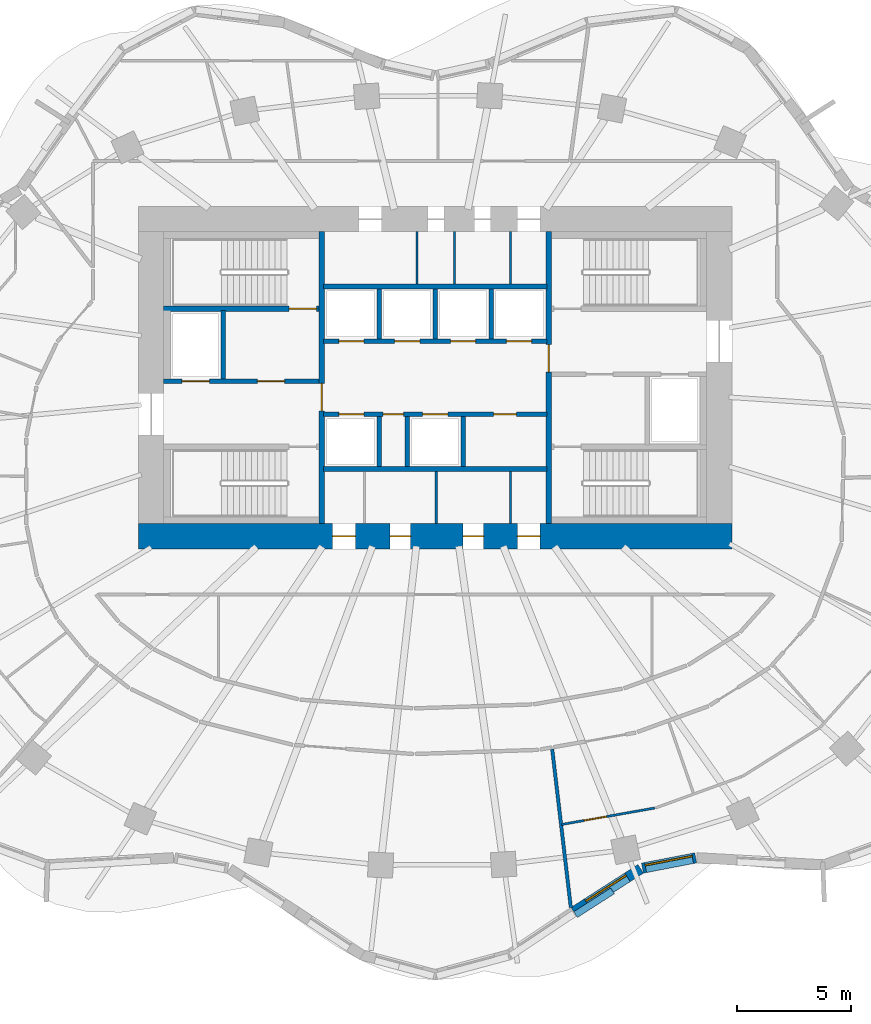
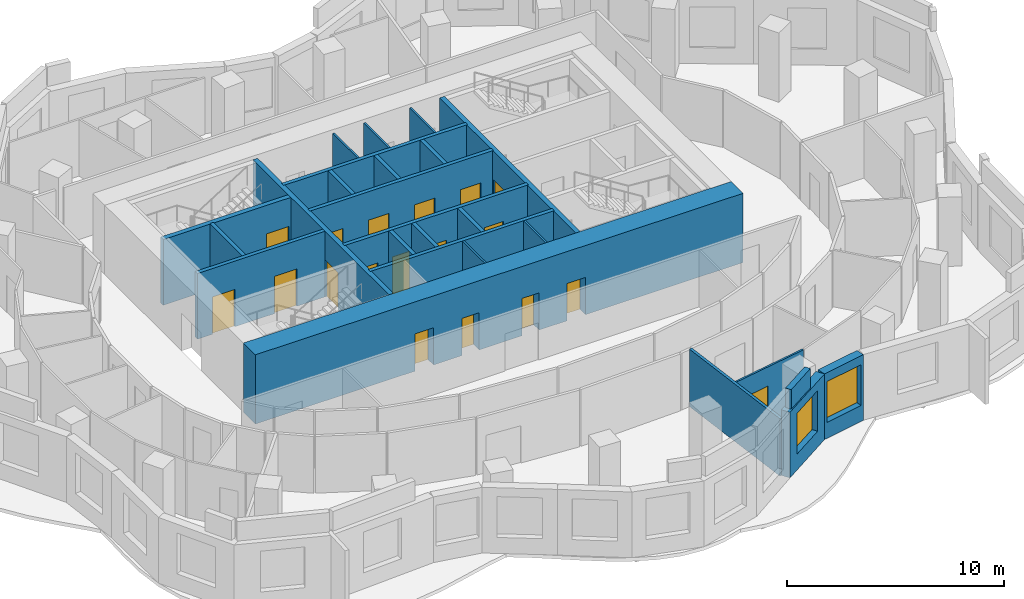
# One storey, part 5 of 10: 26 walls, 18 doors, 2 windows, 20 openings.
"""IFC4 building model written with IfcOpenShell, lengths in metres."""

import ifcopenshell
import ifcopenshell.guid

model = None  # the IFC model being written
_history = None  # IfcOwnerHistory: only IFC2X3 demands one
_inside = {}  # id of a spatial element -> (the spatial element, [elements in it])
_under = {}  # id of a project, library or spatial element -> (it, [spatial elements below it])
_declared = {}  # id of a project -> (the project, [libraries it declares])
_typed = {}  # id of a type object -> (the type object, [elements of that type])
_made_of = {}  # id of a material, layer set ... -> (it, [elements and type objects made of it])


def new_model(schema):
    """Start an empty IFC model of exactly this schema.

    Asked for "IFC4X3", IfcOpenShell would pick the latest addendum, in which some entities
    have other attributes; the version numbers below select the first issue.
    IFC2X3 requires an IfcOwnerHistory on every rooted entity: one is made here for all.
    """
    global model, _history
    if schema == "IFC4X3":
        model = ifcopenshell.file(schema_version=(4, 3, 0, 0))
    else:
        model = ifcopenshell.file(schema=schema)
    _inside.clear()
    _under.clear()
    _declared.clear()
    _typed.clear()
    _made_of.clear()
    _history = None
    if model.schema == "IFC2X3":
        org = make("IfcOrganization", Name="unknown")
        user = make(
            "IfcPersonAndOrganization",
            ThePerson=make("IfcPerson", FamilyName="unknown"),
            TheOrganization=org,
        )
        app = make(
            "IfcApplication",
            ApplicationDeveloper=org,
            Version="unknown",
            ApplicationFullName="unknown",
            ApplicationIdentifier="unknown",
        )
        _history = make(
            "IfcOwnerHistory",
            OwningUser=user,
            OwningApplication=app,
            ChangeAction="ADDED",
            CreationDate=0,
        )
    return model


def make(cls, **values):
    """One entity of the class cls with the attributes given. An attribute that is None is left unset."""
    return model.create_entity(
        cls, **{name: value for name, value in values.items() if value is not None}
    )


def rooted(cls, **values):
    """An entity with a GlobalId (a new one), such as an element, a storey or a relation."""
    return make(cls, GlobalId=ifcopenshell.guid.new(), OwnerHistory=_history, **values)


def si_unit(unit_type, name, prefix=None):
    """IfcSIUnit, for example si_unit("LENGTHUNIT", "METRE", prefix="MILLI")."""
    return make("IfcSIUnit", UnitType=unit_type, Prefix=prefix, Name=name)


def assignment(units):
    """IfcUnitAssignment: the units of a project."""
    return None if units is None else make("IfcUnitAssignment", Units=units)


def point(xyz):
    """IfcCartesianPoint."""
    return None if xyz is None else make("IfcCartesianPoint", Coordinates=xyz)


def direction(xyz):
    """IfcDirection."""
    return None if xyz is None else make("IfcDirection", DirectionRatios=xyz)


def frame(location, z_axis=None, x_axis=None):
    """IfcAxis2Placement3D, a coordinate frame: its origin and axes. An axis left out is left unset."""
    return make(
        "IfcAxis2Placement3D",
        Location=point(location),
        Axis=direction(z_axis),
        RefDirection=direction(x_axis),
    )


def frame_2d(location, x_axis=None):
    """IfcAxis2Placement2D, a coordinate frame in the plane: its origin and x axis."""
    return make(
        "IfcAxis2Placement2D", Location=point(location), RefDirection=direction(x_axis)
    )


def origin():
    """The frame at (0, 0, 0) with its axes left unset."""
    return frame((0.0, 0.0, 0.0))


def place(relative_to, where):
    """IfcLocalPlacement: puts the frame where relative to a parent placement (None: the world)."""
    return make(
        "IfcLocalPlacement", PlacementRelTo=relative_to, RelativePlacement=where
    )


def context(
    kind, dimensions, precision=None, world=None, true_north=None, identifier=None
):
    """IfcGeometricRepresentationContext, for example the 3D "Model" context."""
    return make(
        "IfcGeometricRepresentationContext",
        ContextIdentifier=identifier,
        ContextType=kind,
        CoordinateSpaceDimension=dimensions,
        Precision=precision,
        WorldCoordinateSystem=world,
        TrueNorth=true_north,
    )


def subcontext(parent, identifier, kind, view, scale=None):
    """IfcGeometricRepresentationSubContext, for example "Body" below "Model"."""
    return make(
        "IfcGeometricRepresentationSubContext",
        ContextIdentifier=identifier,
        ContextType=kind,
        ParentContext=parent,
        TargetScale=scale,
        TargetView=view,
    )


def project(units=None, contexts=None):
    """IfcProject with its units and contexts."""
    return rooted(
        "IfcProject",
        Name="project",
        RepresentationContexts=contexts,
        UnitsInContext=assignment(units),
    )


def spatial(cls, under=None, at=None, **own):
    """A site, building, storey or space (cls), placed at a placement, below another one or the project."""
    s = rooted(cls, ObjectPlacement=at, **own)
    if under is not None:
        _under.setdefault(under.id(), (under, []))[1].append(s)
    return s


def profile(cls, at=None, kind="AREA", **sizes):
    """A parametric profile (cls). Its sizes go by their IFC names, for example OverallWidth=200.0."""
    return make(cls, ProfileType=kind, Position=at, **sizes)


def rectangle(**sizes):
    """IfcRectangleProfileDef."""
    return profile("IfcRectangleProfileDef", **sizes)


def extrude(swept, where, along, depth):
    """IfcExtrudedAreaSolid: the profile swept, set in the frame where, extruded along a direction by depth."""
    return make(
        "IfcExtrudedAreaSolid",
        SweptArea=swept,
        Position=where,
        ExtrudedDirection=direction(along),
        Depth=depth,
    )


def shape(context_of_items, identifier, shape_type, items):
    """IfcShapeRepresentation: the items that make up one representation, for example the "Body"."""
    return make(
        "IfcShapeRepresentation",
        ContextOfItems=context_of_items,
        RepresentationIdentifier=identifier,
        RepresentationType=shape_type,
        Items=items,
    )


def material(Name=None, Category=None):
    """IfcMaterial."""
    return make("IfcMaterial", Name=Name, Category=Category)


def layer(
    of_material, thickness, ventilated=None, Name=None, Category=None, Priority=None
):
    """IfcMaterialLayer: one layer of a wall or slab, of a material (None: an air gap)."""
    return make(
        "IfcMaterialLayer",
        Material=of_material,
        LayerThickness=thickness,
        IsVentilated=ventilated,
        Name=Name,
        Category=Category,
        Priority=Priority,
    )


def layer_set(layers, Name=None):
    """IfcMaterialLayerSet."""
    return make("IfcMaterialLayerSet", MaterialLayers=layers, LayerSetName=Name)


def made_of(thing, what):
    """Note that an element or type object is made of a material, layer set ...; save() writes the relation."""
    if what is not None:
        _made_of.setdefault(what.id(), (what, []))[1].append(thing)
    return thing


def type_object(cls, material=None, **own):
    """A type object (cls), such as IfcWallType, which elements share."""
    return made_of(rooted(cls, **own), material)


def element(
    cls,
    number,
    at=None,
    inside=None,
    cuts=None,
    type_object=None,
    material=None,
    context=None,
    identifier="Body",
    shape_type=None,
    held_by="IfcProductDefinitionShape",
    body=None,
    shapes=None,
    **own,
):
    """One element of the class cls, such as IfcWall. Its Tag is "e" and its number.

    at: its placement. inside: the storey or other place that contains it. cuts: it is an
    opening in that element (IfcRelVoidsElement). A single representation is given by context,
    identifier, shape_type and body (its items); several are given by shapes. held_by: the class
    of the entity that holds the representations. save() writes the other relations.
    """
    e = rooted(cls, Tag="e%d" % number, ObjectPlacement=at, **own)
    if body is not None:
        shapes = [shape(context, identifier, shape_type, body)]
    if shapes is not None:
        e.Representation = make(held_by, Representations=shapes)
    if inside is not None:
        _inside.setdefault(inside.id(), (inside, []))[1].append(e)
    if cuts is not None:
        rooted(
            "IfcRelVoidsElement", RelatingBuildingElement=cuts, RelatedOpeningElement=e
        )
    if type_object is not None:
        _typed.setdefault(type_object.id(), (type_object, []))[1].append(e)
    return made_of(e, material)


def fill(opening, filler):
    """IfcRelFillsElement: the door or window that sits in an opening."""
    return rooted(
        "IfcRelFillsElement",
        RelatingOpeningElement=opening,
        RelatedBuildingElement=filler,
    )


def aggregate(whole, parts):
    """IfcRelAggregates: a whole, such as a stair, and the parts it consists of."""
    return rooted("IfcRelAggregates", RelatingObject=whole, RelatedObjects=parts)


def save(model, path):
    """Write the relations noted so far, then the file.

    IfcRelAggregates (storeys below a building ...), IfcRelContainedInSpatialStructure (elements
    in a storey), IfcRelDefinesByType, IfcRelAssociatesMaterial and IfcRelDeclares: one each for
    every whole, place, type object, material and project.
    """
    for whole, parts in _under.values():
        aggregate(whole, parts)
    for where, things in _inside.values():
        rooted(
            "IfcRelContainedInSpatialStructure",
            RelatedElements=things,
            RelatingStructure=where,
        )
    for kind, things in _typed.values():
        rooted("IfcRelDefinesByType", RelatedObjects=things, RelatingType=kind)
    for what, things in _made_of.values():
        rooted("IfcRelAssociatesMaterial", RelatedObjects=things, RelatingMaterial=what)
    for by, libraries in _declared.values():
        rooted("IfcRelDeclares", RelatingContext=by, RelatedDefinitions=libraries)
    model.write(path)


model = new_model("IFC4")

# Units and contexts
model_context = context("Model", 3, precision=1e-05, world=origin(), true_north=direction((0.0, 1.0)))
body_context = subcontext(model_context, "Body", "Model", "MODEL_VIEW")
ifc_project = project(units=[si_unit("LENGTHUNIT", "METRE"), si_unit("AREAUNIT", "SQUARE_METRE"), si_unit("VOLUMEUNIT", "CUBIC_METRE"), si_unit("PLANEANGLEUNIT", "RADIAN"), si_unit("MASSUNIT", "GRAM", prefix="KILO")], contexts=[model_context])

# Site, building, storey
site_placement = place(None, origin())
site = spatial("IfcSite", under=ifc_project, at=site_placement, CompositionType="ELEMENT")
building_placement = place(site_placement, origin())
building = spatial("IfcBuilding", under=site, at=building_placement, Name="Rubra Terraces Tower", CompositionType="ELEMENT")
storey_placement = place(building_placement, frame((0.0, 0.0, 157.800048828125)))
storey = spatial("IfcBuildingStorey", under=building, at=storey_placement, Name="L38", CompositionType="ELEMENT", Elevation=157.800048828125)

# Wall, opening, window
ifc_material_1 = material(Name="Brick masonry red-brown", Category="masonry")
ifc_layer_1 = layer(ifc_material_1, 0.449951171875)
ifc_layer_set_1 = layer_set([ifc_layer_1], Name="Brick masonry red-brown")
wall_type_1 = type_object("IfcWallType", Name="Brick facade wall 450", PredefinedType="SOLIDWALL", material=ifc_layer_set_1)
wall_1_placement = place(storey_placement, frame((6.076416015625, -18.906494140625, 0.0), z_axis=(0.0, 0.0, 1.0), x_axis=(0.841872604405, 0.539676308496, 0.0)))
wall_1 = element("IfcWall", 1, at=wall_1_placement, inside=storey, type_object=wall_type_1, Name="Facade wall L38 bay 33", PredefinedType="SOLIDWALL", context=body_context, shape_type="SweptSolid", body=[
    extrude(rectangle(XDim=3.48193359375, YDim=0.449951171875, at=frame_2d((1.740966796875, 0.0))), origin(), (0.0, 0.0, 1.0), 3.699951171875),
])
opening_1_placement = place(wall_1_placement, frame((0.691162109375, 0.0, 0.89990234375)))
opening_1 = element("IfcOpeningElement", 2, at=opening_1_placement, cuts=wall_1, Name="Opening W1B", PredefinedType="OPENING", context=body_context, shape_type="SweptSolid", body=[
    extrude(rectangle(XDim=2.10009765625, YDim=2.300048828125, at=frame_2d((1.050048828125, 1.14990234375))), frame((0.0, 0.23486328125, 0.0), z_axis=(0.0, -1.0, 0.0), x_axis=(1.0, 0.0, 0.0)), (0.0, 0.0, 1.0), 0.469970703125),
])
ifc_material_2 = material(Name="Clear glass in aluminium frame", Category="aluminium")
window_type = type_object("IfcWindowType", Name="Fixed deep-set window tall storey 2100 x 2300", PartitioningType="SINGLE_PANEL", PredefinedType="WINDOW", material=ifc_material_2)
window_1_placement = place(opening_1_placement, origin())
window_1 = element("IfcWindow", 3, at=window_1_placement, inside=storey, type_object=window_type, Name="Window L38 bay 33", OverallHeight=2.300048828125, OverallWidth=2.10009765625, PartitioningType="SINGLE_PANEL", PredefinedType="WINDOW", context=body_context, shape_type="SweptSolid", body=[
    extrude(rectangle(XDim=2.10009765625, YDim=2.300048828125, at=frame_2d((1.050048828125, 1.14990234375))), frame((0.0, 0.135009765625, 0.0), z_axis=(0.0, -1.0, 0.0), x_axis=(1.0, 0.0, 0.0)), (0.0, 0.0, 1.0), 0.06005859375),
])
fill(opening_1, window_1)

wall_2_placement = place(storey_placement, frame((9.084716796875, -16.9970703125, 0.0), z_axis=(0.0, 0.0, 1.0), x_axis=(0.981863241167, 0.189590547352, 0.0)))
wall_2 = element("IfcWall", 4, at=wall_2_placement, inside=storey, type_object=wall_type_1, Name="Facade wall L38 bay 34", PredefinedType="SOLIDWALL", context=body_context, shape_type="SweptSolid", body=[
    extrude(rectangle(XDim=2.375732421875, YDim=0.449951171875, at=frame_2d((1.18798828125, 0.0))), origin(), (0.0, 0.0, 1.0), 3.699951171875),
])
opening_2_placement = place(wall_2_placement, frame((0.13818359375, 0.0, 0.89990234375)))
opening_2 = element("IfcOpeningElement", 5, at=opening_2_placement, cuts=wall_2, Name="Opening W1B", PredefinedType="OPENING", context=body_context, shape_type="SweptSolid", body=[
    extrude(rectangle(XDim=2.10009765625, YDim=2.300048828125, at=frame_2d((1.050048828125, 1.14990234375))), frame((0.0, 0.23486328125, 0.0), z_axis=(0.0, -1.0, 0.0), x_axis=(1.0, 0.0, 0.0)), (0.0, 0.0, 1.0), 0.469970703125),
])
window_2_placement = place(opening_2_placement, origin())
window_2 = element("IfcWindow", 6, at=window_2_placement, inside=storey, type_object=window_type, Name="Window L38 bay 34", OverallHeight=2.300048828125, OverallWidth=2.10009765625, PartitioningType="SINGLE_PANEL", PredefinedType="WINDOW", context=body_context, shape_type="SweptSolid", body=[
    extrude(rectangle(XDim=2.10009765625, YDim=2.300048828125, at=frame_2d((1.050048828125, 1.14990234375))), frame((0.0, 0.135009765625, 0.0), z_axis=(0.0, -1.0, 0.0), x_axis=(1.0, 0.0, 0.0)), (0.0, 0.0, 1.0), 0.06005859375),
])
fill(opening_2, window_2)

# Wall
ifc_layer_2 = layer(ifc_material_1, 0.300048828125)
ifc_layer_set_2 = layer_set([ifc_layer_2], Name="Brick masonry red-brown")
wall_type_2 = type_object("IfcWallType", Name="Brick parapet 300", PredefinedType="PARAPET", material=ifc_layer_set_2)
wall_3_placement = place(storey_placement, frame((6.154541015625, -19.03173828125, 3.89990234375), z_axis=(0.0, 0.0, 1.0), x_axis=(0.841865843565, 0.53968685498, 0.0)))
element("IfcWall", 7, at=wall_3_placement, inside=storey, type_object=wall_type_2, Name="Parapet L38 bay 33", PredefinedType="PARAPET", context=body_context, shape_type="SweptSolid", body=[
    extrude(rectangle(XDim=1.92529296875, YDim=0.300048828125, at=frame_2d((0.962646484375, 0.0))), origin(), (0.0, 0.0, 1.0), 1.10009765625),
])

# Wall, openings, doors
ifc_material_3 = material(Name="Concrete C60", Category="concrete")
ifc_layer_3 = layer(ifc_material_3, 1.10009765625)
ifc_layer_set_3 = layer_set([ifc_layer_3], Name="Concrete C60")
wall_type_3 = type_object("IfcWallType", Name="CORE WALL 1100 C60", PredefinedType="SHEAR", material=ifc_layer_set_3)
wall_4_placement = place(storey_placement, frame((-13.0, -2.449951171875, 0.0), z_axis=(0.0, 0.0, 1.0), x_axis=(1.0, 0.0, 0.0)))
wall_4 = element("IfcWall", 8, at=wall_4_placement, inside=storey, type_object=wall_type_3, Name="CORE WALL S L38", PredefinedType="SHEAR", context=body_context, shape_type="SweptSolid", body=[
    extrude(rectangle(XDim=26.0, YDim=1.10009765625, at=frame_2d((13.0, 0.0))), origin(), (0.0, 0.0, 1.0), 3.89990234375),
])
opening_3_placement = place(wall_4_placement, frame((8.5, 0.0, 0.0)))
opening_3 = element("IfcOpeningElement", 9, at=opening_3_placement, cuts=wall_4, Name="Opening L38.C21", PredefinedType="OPENING", context=body_context, shape_type="SweptSolid", body=[
    extrude(rectangle(XDim=1.0, YDim=2.10009765625, at=frame_2d((0.5, 1.050048828125))), frame((0.0, 0.56005859375, 0.0), z_axis=(0.0, -1.0, 0.0), x_axis=(1.0, 0.0, 0.0)), (0.0, 0.0, 1.0), 1.1201171875),
])
opening_4_placement = place(wall_4_placement, frame((11.02490234375, 0.0, 0.0)))
opening_4 = element("IfcOpeningElement", 10, at=opening_4_placement, cuts=wall_4, Name="Opening L38.C22", PredefinedType="OPENING", context=body_context, shape_type="SweptSolid", body=[
    extrude(rectangle(XDim=0.89990234375, YDim=2.10009765625, at=frame_2d((0.449951171875, 1.050048828125))), frame((0.0, 0.56005859375, 0.0), z_axis=(0.0, -1.0, 0.0), x_axis=(1.0, 0.0, 0.0)), (0.0, 0.0, 1.0), 1.1201171875),
])
opening_5_placement = place(wall_4_placement, frame((14.22509765625, 0.0, 0.0)))
opening_5 = element("IfcOpeningElement", 11, at=opening_5_placement, cuts=wall_4, Name="Opening L38.C23", PredefinedType="OPENING", context=body_context, shape_type="SweptSolid", body=[
    extrude(rectangle(XDim=0.89990234375, YDim=2.10009765625, at=frame_2d((0.449951171875, 1.050048828125))), frame((0.0, 0.56005859375, 0.0), z_axis=(0.0, -1.0, 0.0), x_axis=(1.0, 0.0, 0.0)), (0.0, 0.0, 1.0), 1.1201171875),
])
opening_6_placement = place(wall_4_placement, frame((16.60009765625, 0.0, 0.0)))
opening_6 = element("IfcOpeningElement", 12, at=opening_6_placement, cuts=wall_4, Name="Opening L38.C24", PredefinedType="OPENING", context=body_context, shape_type="SweptSolid", body=[
    extrude(rectangle(XDim=1.0, YDim=2.10009765625, at=frame_2d((0.5, 1.050048828125))), frame((0.0, 0.56005859375, 0.0), z_axis=(0.0, -1.0, 0.0), x_axis=(1.0, 0.0, 0.0)), (0.0, 0.0, 1.0), 1.1201171875),
])
ifc_material_4 = material(Name="Painted steel", Category="steel")
door_type_1 = type_object("IfcDoorType", Name="Fire door 1000x2100 single", OperationType="NOTDEFINED", PredefinedType="DOOR", material=ifc_material_4)
door_1_placement = place(opening_3_placement, origin())
door_1 = element("IfcDoor", 13, at=door_1_placement, inside=storey, type_object=door_type_1, Name="Accessible WC door", OperationType="SINGLE_SWING_LEFT", OverallHeight=2.10009765625, OverallWidth=1.0, PredefinedType="DOOR", context=body_context, shape_type="SweptSolid", body=[
    extrude(rectangle(XDim=1.0, YDim=2.10009765625, at=frame_2d((0.5, 1.050048828125))), frame((0.0, 0.02490234375, 0.0), z_axis=(0.0, -1.0, 0.0), x_axis=(1.0, 0.0, 0.0)), (0.0, 0.0, 1.0), 0.050048828125),
])
fill(opening_3, door_1)
door_2_placement = place(opening_6_placement, origin())
door_2 = element("IfcDoor", 14, at=door_2_placement, inside=storey, type_object=door_type_1, Name="General store door", OperationType="SINGLE_SWING_RIGHT", OverallHeight=2.10009765625, OverallWidth=1.0, PredefinedType="DOOR", context=body_context, shape_type="SweptSolid", body=[
    extrude(rectangle(XDim=1.0, YDim=2.10009765625, at=frame_2d((0.5, 1.050048828125))), frame((0.0, 0.02490234375, 0.0), z_axis=(0.0, -1.0, 0.0), x_axis=(1.0, 0.0, 0.0)), (0.0, 0.0, 1.0), 0.050048828125),
])
fill(opening_6, door_2)
door_type_2 = type_object("IfcDoorType", Name="Fire door 900x2100 single", OperationType="NOTDEFINED", PredefinedType="DOOR", material=ifc_material_4)
door_3_placement = place(opening_4_placement, origin())
door_3 = element("IfcDoor", 15, at=door_3_placement, inside=storey, type_object=door_type_2, Name="Ladies WC door", OperationType="SINGLE_SWING_RIGHT", OverallHeight=2.10009765625, OverallWidth=0.89990234375, PredefinedType="DOOR", context=body_context, shape_type="SweptSolid", body=[
    extrude(rectangle(XDim=0.89990234375, YDim=2.10009765625, at=frame_2d((0.449951171875, 1.050048828125))), frame((0.0, 0.02490234375, 0.0), z_axis=(0.0, -1.0, 0.0), x_axis=(1.0, 0.0, 0.0)), (0.0, 0.0, 1.0), 0.050048828125),
])
fill(opening_4, door_3)
door_4_placement = place(opening_5_placement, origin())
door_4 = element("IfcDoor", 16, at=door_4_placement, inside=storey, type_object=door_type_2, Name="Gents WC door", OperationType="SINGLE_SWING_LEFT", OverallHeight=2.10009765625, OverallWidth=0.89990234375, PredefinedType="DOOR", context=body_context, shape_type="SweptSolid", body=[
    extrude(rectangle(XDim=0.89990234375, YDim=2.10009765625, at=frame_2d((0.449951171875, 1.050048828125))), frame((0.0, 0.02490234375, 0.0), z_axis=(0.0, -1.0, 0.0), x_axis=(1.0, 0.0, 0.0)), (0.0, 0.0, 1.0), 0.050048828125),
])
fill(opening_5, door_4)

ifc_material_5 = material(Name="Concrete C30", Category="concrete")
ifc_layer_4 = layer(ifc_material_5, 0.199951171875)
ifc_layer_set_4 = layer_set([ifc_layer_4], Name="Concrete C30")
wall_type_4 = type_object("IfcWallType", Name="Core wall 200 concrete", PredefinedType="SOLIDWALL", material=ifc_layer_set_4)
wall_5_placement = place(storey_placement, frame((-11.89990234375, 4.35009765625, 0.0), z_axis=(0.0, 0.0, 1.0), x_axis=(1.0, 0.0, 0.0)))
wall_5 = element("IfcWall", 17, at=wall_5_placement, inside=storey, type_object=wall_type_4, Name="STAIR WALL L38", PredefinedType="SOLIDWALL", context=body_context, shape_type="SweptSolid", body=[
    extrude(rectangle(XDim=6.7998046875, YDim=0.199951171875, at=frame_2d((3.39990234375, 0.0))), origin(), (0.0, 0.0, 1.0), 3.699951171875),
])
opening_7_placement = place(wall_5_placement, frame((4.10009765625, 0.0, 0.0)))
opening_7 = element("IfcOpeningElement", 18, at=opening_7_placement, cuts=wall_5, Name="Opening L38.C05", PredefinedType="OPENING", context=body_context, shape_type="SweptSolid", body=[
    extrude(rectangle(XDim=1.199951171875, YDim=2.10009765625, at=frame_2d((0.60009765625, 1.050048828125))), frame((0.0, 0.10986328125, 0.0), z_axis=(0.0, -1.0, 0.0), x_axis=(1.0, 0.0, 0.0)), (0.0, 0.0, 1.0), 0.219970703125),
])
opening_8_placement = place(wall_5_placement, frame((0.800048828125, 0.0, 0.0)))
opening_8 = element("IfcOpeningElement", 19, at=opening_8_placement, cuts=wall_5, Name="Opening L38.C11", PredefinedType="OPENING", context=body_context, shape_type="SweptSolid", body=[
    extrude(rectangle(XDim=1.199951171875, YDim=2.10009765625, at=frame_2d((0.60009765625, 1.050048828125))), frame((0.0, 0.10986328125, 0.0), z_axis=(0.0, -1.0, 0.0), x_axis=(1.0, 0.0, 0.0)), (0.0, 0.0, 1.0), 0.219970703125),
])
door_type_3 = type_object("IfcDoorType", Name="Fire door 1200x2100 single", OperationType="NOTDEFINED", PredefinedType="DOOR", material=ifc_material_4)
door_5_placement = place(opening_7_placement, origin())
door_5 = element("IfcDoor", 20, at=door_5_placement, inside=storey, type_object=door_type_3, Name="Stair vestibule door S2", OperationType="SINGLE_SWING_LEFT", OverallHeight=2.10009765625, OverallWidth=1.199951171875, PredefinedType="DOOR", context=body_context, shape_type="SweptSolid", body=[
    extrude(rectangle(XDim=1.199951171875, YDim=2.10009765625, at=frame_2d((0.60009765625, 1.050048828125))), frame((0.0, 0.02490234375, 0.0), z_axis=(0.0, -1.0, 0.0), x_axis=(1.0, 0.0, 0.0)), (0.0, 0.0, 1.0), 0.050048828125),
])
fill(opening_7, door_5)
ifc_material_6 = material(Name="Stainless steel", Category="steel")
door_type_4 = type_object("IfcDoorType", Name="Lift landing door 1200x2100", OperationType="NOTDEFINED", PredefinedType="DOOR", material=ifc_material_6)
door_6_placement = place(opening_8_placement, origin())
door_6 = element("IfcDoor", 21, at=door_6_placement, inside=storey, type_object=door_type_4, Name="Landing door FF1", OperationType="SLIDING_TO_RIGHT", OverallHeight=2.10009765625, OverallWidth=1.199951171875, PredefinedType="DOOR", context=body_context, shape_type="SweptSolid", body=[
    extrude(rectangle(XDim=1.199951171875, YDim=2.10009765625, at=frame_2d((0.60009765625, 1.050048828125))), frame((0.0, 0.02490234375, 0.0), z_axis=(0.0, -1.0, 0.0), x_axis=(1.0, 0.0, 0.0)), (0.0, 0.0, 1.0), 0.050048828125),
])
fill(opening_8, door_6)

# Walls
wall_6_placement = place(storey_placement, frame((-9.300048828125, 4.449951171875, 0.0), z_axis=(0.0, 0.0, 1.0), x_axis=(0.0, 1.0, 0.0)))
element("IfcWall", 22, at=wall_6_placement, inside=storey, type_object=wall_type_4, Name="STAIR WALL L38", PredefinedType="SOLIDWALL", context=body_context, shape_type="SweptSolid", body=[
    extrude(rectangle(XDim=3.0, YDim=0.199951171875, at=frame_2d((1.5, 0.0))), origin(), (0.0, 0.0, 1.0), 3.699951171875),
])
wall_7_placement = place(storey_placement, frame((-4.89990234375, 0.5, 0.0), z_axis=(0.0, 0.0, 1.0), x_axis=(1.0, 0.0, 0.0)))
element("IfcWall", 23, at=wall_7_placement, inside=storey, type_object=wall_type_4, Name="LIFT SHAFT WALL L38", PredefinedType="SOLIDWALL", context=body_context, shape_type="SweptSolid", body=[
    extrude(rectangle(XDim=9.7998046875, YDim=0.199951171875, at=frame_2d((4.89990234375, 0.0))), origin(), (0.0, 0.0, 1.0), 3.699951171875),
])

# Wall, openings, doors
wall_8_placement = place(storey_placement, frame((-4.89990234375, 2.89990234375, 0.0), z_axis=(0.0, 0.0, 1.0), x_axis=(1.0, 0.0, 0.0)))
wall_8 = element("IfcWall", 24, at=wall_8_placement, inside=storey, type_object=wall_type_4, Name="LIFT SHAFT WALL L38", PredefinedType="SOLIDWALL", context=body_context, shape_type="SweptSolid", body=[
    extrude(rectangle(XDim=9.7998046875, YDim=0.199951171875, at=frame_2d((4.89990234375, 0.0))), origin(), (0.0, 0.0, 1.0), 3.699951171875),
])
opening_9_placement = place(wall_8_placement, frame((0.675048828125, 0.0, 0.0)))
opening_9 = element("IfcOpeningElement", 25, at=opening_9_placement, cuts=wall_8, Name="Opening L38.C13", PredefinedType="OPENING", context=body_context, shape_type="SweptSolid", body=[
    extrude(rectangle(XDim=1.10009765625, YDim=2.10009765625, at=frame_2d((0.550048828125, 1.050048828125))), frame((0.0, 0.10986328125, 0.0), z_axis=(0.0, -1.0, 0.0), x_axis=(1.0, 0.0, 0.0)), (0.0, 0.0, 1.0), 0.219970703125),
])
opening_10_placement = place(wall_8_placement, frame((2.613037109375, 0.0, 0.0)))
opening_10 = element("IfcOpeningElement", 26, at=opening_10_placement, cuts=wall_8, Name="Opening L38.C14", PredefinedType="OPENING", context=body_context, shape_type="SweptSolid", body=[
    extrude(rectangle(XDim=0.89990234375, YDim=2.10009765625, at=frame_2d((0.449951171875, 1.050048828125))), frame((0.0, 0.10986328125, 0.0), z_axis=(0.0, -1.0, 0.0), x_axis=(1.0, 0.0, 0.0)), (0.0, 0.0, 1.0), 0.219970703125),
])
opening_11_placement = place(wall_8_placement, frame((4.35009765625, 0.0, 0.0)))
opening_11 = element("IfcOpeningElement", 27, at=opening_11_placement, cuts=wall_8, Name="Opening L38.C15", PredefinedType="OPENING", context=body_context, shape_type="SweptSolid", body=[
    extrude(rectangle(XDim=1.10009765625, YDim=2.10009765625, at=frame_2d((0.550048828125, 1.050048828125))), frame((0.0, 0.10986328125, 0.0), z_axis=(0.0, -1.0, 0.0), x_axis=(1.0, 0.0, 0.0)), (0.0, 0.0, 1.0), 0.219970703125),
])
opening_12_placement = place(wall_8_placement, frame((7.462890625, 0.0, 0.0)))
opening_12 = element("IfcOpeningElement", 28, at=opening_12_placement, cuts=wall_8, Name="Opening L38.C16", PredefinedType="OPENING", context=body_context, shape_type="SweptSolid", body=[
    extrude(rectangle(XDim=1.0, YDim=2.10009765625, at=frame_2d((0.5, 1.050048828125))), frame((0.0, 0.10986328125, 0.0), z_axis=(0.0, -1.0, 0.0), x_axis=(1.0, 0.0, 0.0)), (0.0, 0.0, 1.0), 0.219970703125),
])
door_7_placement = place(opening_12_placement, origin())
door_7 = element("IfcDoor", 29, at=door_7_placement, inside=storey, type_object=door_type_1, Name="Linen store door", OperationType="SINGLE_SWING_RIGHT", OverallHeight=2.10009765625, OverallWidth=1.0, PredefinedType="DOOR", context=body_context, shape_type="SweptSolid", body=[
    extrude(rectangle(XDim=1.0, YDim=2.10009765625, at=frame_2d((0.5, 1.050048828125))), frame((0.0, 0.02490234375, 0.0), z_axis=(0.0, -1.0, 0.0), x_axis=(1.0, 0.0, 0.0)), (0.0, 0.0, 1.0), 0.050048828125),
])
fill(opening_12, door_7)
door_8_placement = place(opening_10_placement, origin())
door_8 = element("IfcDoor", 30, at=door_8_placement, inside=storey, type_object=door_type_2, Name="Cleaner's store door", OperationType="SINGLE_SWING_RIGHT", OverallHeight=2.10009765625, OverallWidth=0.89990234375, PredefinedType="DOOR", context=body_context, shape_type="SweptSolid", body=[
    extrude(rectangle(XDim=0.89990234375, YDim=2.10009765625, at=frame_2d((0.449951171875, 1.050048828125))), frame((0.0, 0.02490234375, 0.0), z_axis=(0.0, -1.0, 0.0), x_axis=(1.0, 0.0, 0.0)), (0.0, 0.0, 1.0), 0.050048828125),
])
fill(opening_10, door_8)
door_type_5 = type_object("IfcDoorType", Name="Lift landing door 1100x2100", OperationType="NOTDEFINED", PredefinedType="DOOR", material=ifc_material_6)
door_9_placement = place(opening_9_placement, origin())
door_9 = element("IfcDoor", 31, at=door_9_placement, inside=storey, type_object=door_type_5, Name="Landing door HB1", OperationType="SLIDING_TO_RIGHT", OverallHeight=2.10009765625, OverallWidth=1.10009765625, PredefinedType="DOOR", context=body_context, shape_type="SweptSolid", body=[
    extrude(rectangle(XDim=1.10009765625, YDim=2.10009765625, at=frame_2d((0.550048828125, 1.050048828125))), frame((0.0, 0.02490234375, 0.0), z_axis=(0.0, -1.0, 0.0), x_axis=(1.0, 0.0, 0.0)), (0.0, 0.0, 1.0), 0.050048828125),
])
fill(opening_9, door_9)
door_10_placement = place(opening_11_placement, origin())
door_10 = element("IfcDoor", 32, at=door_10_placement, inside=storey, type_object=door_type_5, Name="Landing door HB2", OperationType="SLIDING_TO_LEFT", OverallHeight=2.10009765625, OverallWidth=1.10009765625, PredefinedType="DOOR", context=body_context, shape_type="SweptSolid", body=[
    extrude(rectangle(XDim=1.10009765625, YDim=2.10009765625, at=frame_2d((0.550048828125, 1.050048828125))), frame((0.0, 0.02490234375, 0.0), z_axis=(0.0, -1.0, 0.0), x_axis=(1.0, 0.0, 0.0)), (0.0, 0.0, 1.0), 0.050048828125),
])
fill(opening_11, door_10)

wall_9_placement = place(storey_placement, frame((-4.89990234375, 6.10009765625, 0.0), z_axis=(0.0, 0.0, 1.0), x_axis=(1.0, 0.0, 0.0)))
wall_9 = element("IfcWall", 33, at=wall_9_placement, inside=storey, type_object=wall_type_4, Name="LIFT SHAFT WALL L38", PredefinedType="SOLIDWALL", context=body_context, shape_type="SweptSolid", body=[
    extrude(rectangle(XDim=9.7998046875, YDim=0.199951171875, at=frame_2d((4.89990234375, 0.0))), origin(), (0.0, 0.0, 1.0), 3.699951171875),
])
opening_13_placement = place(wall_9_placement, frame((0.675048828125, 0.0, 0.0)))
opening_13 = element("IfcOpeningElement", 34, at=opening_13_placement, cuts=wall_9, Name="Opening L38.C17", PredefinedType="OPENING", context=body_context, shape_type="SweptSolid", body=[
    extrude(rectangle(XDim=1.10009765625, YDim=2.10009765625, at=frame_2d((0.550048828125, 1.050048828125))), frame((0.0, 0.10986328125, 0.0), z_axis=(0.0, -1.0, 0.0), x_axis=(1.0, 0.0, 0.0)), (0.0, 0.0, 1.0), 0.219970703125),
])
opening_14_placement = place(wall_9_placement, frame((3.125, 0.0, 0.0)))
opening_14 = element("IfcOpeningElement", 35, at=opening_14_placement, cuts=wall_9, Name="Opening L38.C18", PredefinedType="OPENING", context=body_context, shape_type="SweptSolid", body=[
    extrude(rectangle(XDim=1.10009765625, YDim=2.10009765625, at=frame_2d((0.550048828125, 1.050048828125))), frame((0.0, 0.10986328125, 0.0), z_axis=(0.0, -1.0, 0.0), x_axis=(1.0, 0.0, 0.0)), (0.0, 0.0, 1.0), 0.219970703125),
])
opening_15_placement = place(wall_9_placement, frame((5.574951171875, 0.0, 0.0)))
opening_15 = element("IfcOpeningElement", 36, at=opening_15_placement, cuts=wall_9, Name="Opening L38.C19", PredefinedType="OPENING", context=body_context, shape_type="SweptSolid", body=[
    extrude(rectangle(XDim=1.10009765625, YDim=2.10009765625, at=frame_2d((0.550048828125, 1.050048828125))), frame((0.0, 0.10986328125, 0.0), z_axis=(0.0, -1.0, 0.0), x_axis=(1.0, 0.0, 0.0)), (0.0, 0.0, 1.0), 0.219970703125),
])
opening_16_placement = place(wall_9_placement, frame((8.02490234375, 0.0, 0.0)))
opening_16 = element("IfcOpeningElement", 37, at=opening_16_placement, cuts=wall_9, Name="Opening L38.C20", PredefinedType="OPENING", context=body_context, shape_type="SweptSolid", body=[
    extrude(rectangle(XDim=1.10009765625, YDim=2.10009765625, at=frame_2d((0.550048828125, 1.050048828125))), frame((0.0, 0.10986328125, 0.0), z_axis=(0.0, -1.0, 0.0), x_axis=(1.0, 0.0, 0.0)), (0.0, 0.0, 1.0), 0.219970703125),
])
door_11_placement = place(opening_13_placement, origin())
door_11 = element("IfcDoor", 38, at=door_11_placement, inside=storey, type_object=door_type_5, Name="Landing door HB3", OperationType="SLIDING_TO_RIGHT", OverallHeight=2.10009765625, OverallWidth=1.10009765625, PredefinedType="DOOR", context=body_context, shape_type="SweptSolid", body=[
    extrude(rectangle(XDim=1.10009765625, YDim=2.10009765625, at=frame_2d((0.550048828125, 1.050048828125))), frame((0.0, 0.02490234375, 0.0), z_axis=(0.0, -1.0, 0.0), x_axis=(1.0, 0.0, 0.0)), (0.0, 0.0, 1.0), 0.050048828125),
])
fill(opening_13, door_11)
door_12_placement = place(opening_14_placement, origin())
door_12 = element("IfcDoor", 39, at=door_12_placement, inside=storey, type_object=door_type_5, Name="Landing door HB4", OperationType="SLIDING_TO_LEFT", OverallHeight=2.10009765625, OverallWidth=1.10009765625, PredefinedType="DOOR", context=body_context, shape_type="SweptSolid", body=[
    extrude(rectangle(XDim=1.10009765625, YDim=2.10009765625, at=frame_2d((0.550048828125, 1.050048828125))), frame((0.0, 0.02490234375, 0.0), z_axis=(0.0, -1.0, 0.0), x_axis=(1.0, 0.0, 0.0)), (0.0, 0.0, 1.0), 0.050048828125),
])
fill(opening_14, door_12)
door_13_placement = place(opening_15_placement, origin())
door_13 = element("IfcDoor", 40, at=door_13_placement, inside=storey, type_object=door_type_5, Name="Landing door HB5", OperationType="SLIDING_TO_RIGHT", OverallHeight=2.10009765625, OverallWidth=1.10009765625, PredefinedType="DOOR", context=body_context, shape_type="SweptSolid", body=[
    extrude(rectangle(XDim=1.10009765625, YDim=2.10009765625, at=frame_2d((0.550048828125, 1.050048828125))), frame((0.0, 0.02490234375, 0.0), z_axis=(0.0, -1.0, 0.0), x_axis=(1.0, 0.0, 0.0)), (0.0, 0.0, 1.0), 0.050048828125),
])
fill(opening_15, door_13)
door_14_placement = place(opening_16_placement, origin())
door_14 = element("IfcDoor", 41, at=door_14_placement, inside=storey, type_object=door_type_5, Name="Landing door HB6", OperationType="SLIDING_TO_LEFT", OverallHeight=2.10009765625, OverallWidth=1.10009765625, PredefinedType="DOOR", context=body_context, shape_type="SweptSolid", body=[
    extrude(rectangle(XDim=1.10009765625, YDim=2.10009765625, at=frame_2d((0.550048828125, 1.050048828125))), frame((0.0, 0.02490234375, 0.0), z_axis=(0.0, -1.0, 0.0), x_axis=(1.0, 0.0, 0.0)), (0.0, 0.0, 1.0), 0.050048828125),
])
fill(opening_16, door_14)

# Walls
wall_10_placement = place(storey_placement, frame((-4.89990234375, 8.5, 0.0), z_axis=(0.0, 0.0, 1.0), x_axis=(1.0, 0.0, 0.0)))
element("IfcWall", 42, at=wall_10_placement, inside=storey, type_object=wall_type_4, Name="LIFT SHAFT WALL L38", PredefinedType="SOLIDWALL", context=body_context, shape_type="SweptSolid", body=[
    extrude(rectangle(XDim=9.7998046875, YDim=0.199951171875, at=frame_2d((4.89990234375, 0.0))), origin(), (0.0, 0.0, 1.0), 3.699951171875),
])
for number, where, z_axis, x_axis, name in (
    (43, (-2.449951171875, 0.60009765625, 0.0), (0.0, 0.0, 1.0), (0.0, 1.0, 0.0), "LIFT SHAFT WALL L38"),
    (44, (-1.22509765625, 0.60009765625, 0.0), (0.0, 0.0, 1.0), (0.0, 1.0, 0.0), "LIFT SHAFT WALL L38"),
    (45, (1.22509765625, 0.60009765625, 0.0), (0.0, 0.0, 1.0), (0.0, 1.0, 0.0), "LIFT SHAFT WALL L38"),
    (46, (-2.449951171875, 6.199951171875, 0.0), (0.0, 0.0, 1.0), (0.0, 1.0, 0.0), "LIFT SHAFT WALL L38"),
    (47, (0.0, 6.199951171875, 0.0), (0.0, 0.0, 1.0), (0.0, 1.0, 0.0), "LIFT SHAFT WALL L38"),
    (48, (2.449951171875, 6.199951171875, 0.0), (0.0, 0.0, 1.0), (0.0, 1.0, 0.0), "LIFT SHAFT WALL L38"),
):
    element("IfcWall", number, at=place(storey_placement, frame(where, z_axis=z_axis, x_axis=x_axis)), inside=storey, type_object=wall_type_4, Name=name, PredefinedType="SOLIDWALL", context=body_context, shape_type="SweptSolid", body=[
        extrude(rectangle(XDim=2.199951171875, YDim=0.199951171875, at=frame_2d((1.10009765625, 0.0))), origin(), (0.0, 0.0, 1.0), 3.699951171875),
    ])

# Wall, opening, door
ifc_material_7 = material(Name="Plasterboard on steel stud", Category="steel")
ifc_layer_5 = layer(ifc_material_7, 0.10009765625)
ifc_layer_set_5 = layer_set([ifc_layer_5], Name="Plasterboard on steel stud")
wall_type_5 = type_object("IfcWallType", Name="ROOM PARTITION 100", PredefinedType="PARTITIONING", material=ifc_layer_set_5)
wall_11_placement = place(storey_placement, frame((9.624755859375, -14.36083984375, 0.0), z_axis=(0.0, 0.0, 1.0), x_axis=(-0.984695796624, -0.174281921355, 0.0)))
wall_11 = element("IfcWall", 49, at=wall_11_placement, inside=storey, type_object=wall_type_5, Name="PARTITION", PredefinedType="PARTITIONING", context=body_context, shape_type="SweptSolid", body=[
    extrude(rectangle(XDim=4.150634765625, YDim=0.10009765625, at=frame_2d((2.0751953125, 0.0))), origin(), (0.0, 0.0, 1.0), 3.183837890625),
])
opening_17_placement = place(wall_11_placement, frame((2.14990234375, 0.0, 0.0)))
opening_17 = element("IfcOpeningElement", 50, at=opening_17_placement, cuts=wall_11, Name="Opening 38-123", PredefinedType="OPENING", context=body_context, shape_type="SweptSolid", body=[
    extrude(rectangle(XDim=1.0, YDim=2.10009765625, at=frame_2d((0.5, 1.050048828125))), frame((0.0, 0.06005859375, 0.0), z_axis=(0.0, -1.0, 0.0), x_axis=(1.0, 0.0, 0.0)), (0.0, 0.0, 1.0), 0.1201171875),
])
ifc_material_8 = material(Name="Painted timber door leaf", Category="wood")
door_type_6 = type_object("IfcDoorType", Name="ROOM DOOR 1000 X 2100", OperationType="SINGLE_SWING_LEFT", PredefinedType="DOOR", material=ifc_material_8)
door_15_placement = place(opening_17_placement, origin())
door_15 = element("IfcDoor", 51, at=door_15_placement, inside=storey, type_object=door_type_6, Name="DOOR 38-123", OperationType="SINGLE_SWING_RIGHT", OverallHeight=2.10009765625, OverallWidth=1.0, PredefinedType="DOOR", context=body_context, shape_type="SweptSolid", body=[
    extrude(rectangle(XDim=1.0, YDim=2.10009765625, at=frame_2d((0.5, 1.050048828125))), frame((0.0, 0.02490234375, 0.0), z_axis=(0.0, -1.0, 0.0), x_axis=(1.0, 0.0, 0.0)), (0.0, 0.0, 1.0), 0.050048828125),
])
fill(opening_17, door_15)

# Walls
ifc_layer_6 = layer(ifc_material_7, 0.14990234375)
ifc_layer_set_6 = layer_set([ifc_layer_6], Name="Plasterboard on steel stud")
wall_type_6 = type_object("IfcWallType", Name="ROOM PARTITION 150", PredefinedType="PARTITIONING", material=ifc_layer_set_6)
wall_12_placement = place(storey_placement, frame((5.9453125, -18.718505859375, 0.0), z_axis=(0.0, 0.0, 1.0), x_axis=(-0.116887879272, 0.99314511713, 0.0)))
element("IfcWall", 52, at=wall_12_placement, inside=storey, type_object=wall_type_6, Name="PARTITION", PredefinedType="PARTITIONING", context=body_context, shape_type="SweptSolid", body=[
    extrude(rectangle(XDim=6.986572265625, YDim=0.14990234375, at=frame_2d((3.4931640625, 0.0))), origin(), (0.0, 0.0, 1.0), 3.23388671875),
])
ifc_material_9 = material(Name="Blockwork", Category="masonry")
ifc_layer_7 = layer(ifc_material_9, 0.10009765625)
ifc_layer_set_7 = layer_set([ifc_layer_7], Name="Blockwork")
wall_type_7 = type_object("IfcWallType", Name="Service partition 100 blockwork", PredefinedType="PARTITIONING", material=ifc_layer_set_7)
for number, where, z_axis, x_axis, name in (
    (53, (0.050048828125, -1.89990234375, 0.0), (0.0, 0.0, 1.0), (0.0, 1.0, 0.0), "SERVICE ROOM PARTITION L38"),
    (54, (3.300048828125, -1.89990234375, 0.0), (0.0, 0.0, 1.0), (0.0, 1.0, 0.0), "SERVICE ROOM PARTITION L38"),
    (55, (-0.800048828125, 8.60009765625, 0.0), (0.0, 0.0, 1.0), (0.0, 1.0, 0.0), "SERVICE ROOM PARTITION L38"),
    (56, (0.85009765625, 8.60009765625, 0.0), (0.0, 0.0, 1.0), (0.0, 1.0, 0.0), "SERVICE ROOM PARTITION L38"),
    (57, (3.300048828125, 8.60009765625, 0.0), (0.0, 0.0, 1.0), (0.0, 1.0, 0.0), "SERVICE ROOM PARTITION L38"),
):
    element("IfcWall", number, at=place(storey_placement, frame(where, z_axis=z_axis, x_axis=x_axis)), inside=storey, type_object=wall_type_7, Name=name, PredefinedType="PARTITIONING", context=body_context, shape_type="SweptSolid", body=[
        extrude(rectangle(XDim=2.2998046875, YDim=0.10009765625, at=frame_2d((1.14990234375, 0.0))), origin(), (0.0, 0.0, 1.0), 3.699951171875),
    ])

# Wall, opening, door
ifc_material_10 = material(Name="Concrete C40", Category="concrete")
ifc_layer_8 = layer(ifc_material_10, 0.25)
ifc_layer_set_8 = layer_set([ifc_layer_8], Name="Concrete C40")
wall_type_8 = type_object("IfcWallType", Name="Stair enclosure wall 250 concrete", PredefinedType="SOLIDWALL", material=ifc_layer_set_8)
wall_13_placement = place(storey_placement, frame((-11.89990234375, 7.52490234375, 0.0), z_axis=(0.0, 0.0, 1.0), x_axis=(1.0, 0.0, 0.0)))
wall_13 = element("IfcWall", 58, at=wall_13_placement, inside=storey, type_object=wall_type_8, Name="STAIR WALL L38", PredefinedType="SOLIDWALL", context=body_context, shape_type="SweptSolid", body=[
    extrude(rectangle(XDim=6.7998046875, YDim=0.25, at=frame_2d((3.39990234375, 0.0))), origin(), (0.0, 0.0, 1.0), 3.699951171875),
])
opening_18_placement = place(wall_13_placement, frame((5.5, 0.0, 0.0)))
opening_18 = element("IfcOpeningElement", 59, at=opening_18_placement, cuts=wall_13, Name="Opening L38.C09", PredefinedType="OPENING", context=body_context, shape_type="SweptSolid", body=[
    extrude(rectangle(XDim=1.199951171875, YDim=2.10009765625, at=frame_2d((0.60009765625, 1.050048828125))), frame((0.0, 0.135009765625, 0.0), z_axis=(0.0, -1.0, 0.0), x_axis=(1.0, 0.0, 0.0)), (0.0, 0.0, 1.0), 0.27001953125),
])
door_16_placement = place(opening_18_placement, origin())
door_16 = element("IfcDoor", 60, at=door_16_placement, inside=storey, type_object=door_type_3, Name="Stair door S2", OperationType="SINGLE_SWING_LEFT", OverallHeight=2.10009765625, OverallWidth=1.199951171875, PredefinedType="DOOR", context=body_context, shape_type="SweptSolid", body=[
    extrude(rectangle(XDim=1.199951171875, YDim=2.10009765625, at=frame_2d((0.60009765625, 1.050048828125))), frame((0.0, 0.02490234375, 0.0), z_axis=(0.0, -1.0, 0.0), x_axis=(1.0, 0.0, 0.0)), (0.0, 0.0, 1.0), 0.050048828125),
])
fill(opening_18, door_16)

wall_14_placement = place(storey_placement, frame((-4.97509765625, -1.89990234375, 0.0), z_axis=(0.0, 0.0, 1.0), x_axis=(0.0, 1.0, 0.0)))
wall_14 = element("IfcWall", 61, at=wall_14_placement, inside=storey, type_object=wall_type_8, Name="CORE LOBBY WALL L38", PredefinedType="SOLIDWALL", context=body_context, shape_type="SweptSolid", body=[
    extrude(rectangle(XDim=12.7998046875, YDim=0.25, at=frame_2d((6.39990234375, 0.0))), origin(), (0.0, 0.0, 1.0), 3.699951171875),
])
opening_19_placement = place(wall_14_placement, frame((4.949951171875, 0.0, 0.0)))
opening_19 = element("IfcOpeningElement", 62, at=opening_19_placement, cuts=wall_14, Name="Opening L38.C03", PredefinedType="OPENING", context=body_context, shape_type="SweptSolid", body=[
    extrude(rectangle(XDim=1.199951171875, YDim=2.10009765625, at=frame_2d((0.60009765625, 1.050048828125))), frame((0.0, 0.135009765625, 0.0), z_axis=(0.0, -1.0, 0.0), x_axis=(1.0, 0.0, 0.0)), (0.0, 0.0, 1.0), 0.27001953125),
])
door_17_placement = place(opening_19_placement, origin())
door_17 = element("IfcDoor", 63, at=door_17_placement, inside=storey, type_object=door_type_3, Name="Firefighting lobby door FF1", OperationType="SINGLE_SWING_LEFT", OverallHeight=2.10009765625, OverallWidth=1.199951171875, PredefinedType="DOOR", context=body_context, shape_type="SweptSolid", body=[
    extrude(rectangle(XDim=1.199951171875, YDim=2.10009765625, at=frame_2d((0.60009765625, 1.050048828125))), frame((0.0, 0.02490234375, 0.0), z_axis=(0.0, -1.0, 0.0), x_axis=(1.0, 0.0, 0.0)), (0.0, 0.0, 1.0), 0.050048828125),
])
fill(opening_19, door_17)

wall_15_placement = place(storey_placement, frame((4.97509765625, 10.89990234375, 0.0), z_axis=(0.0, 0.0, 1.0), x_axis=(0.0, -1.0, 0.0)))
wall_15 = element("IfcWall", 64, at=wall_15_placement, inside=storey, type_object=wall_type_8, Name="CORE LOBBY WALL L38", PredefinedType="SOLIDWALL", context=body_context, shape_type="SweptSolid", body=[
    extrude(rectangle(XDim=12.7998046875, YDim=0.25, at=frame_2d((6.39990234375, 0.0))), origin(), (0.0, 0.0, 1.0), 3.699951171875),
])
opening_20_placement = place(wall_15_placement, frame((4.949951171875, 0.0, 0.0)))
opening_20 = element("IfcOpeningElement", 65, at=opening_20_placement, cuts=wall_15, Name="Opening L38.C04", PredefinedType="OPENING", context=body_context, shape_type="SweptSolid", body=[
    extrude(rectangle(XDim=1.199951171875, YDim=2.10009765625, at=frame_2d((0.60009765625, 1.050048828125))), frame((0.0, 0.135009765625, 0.0), z_axis=(0.0, -1.0, 0.0), x_axis=(1.0, 0.0, 0.0)), (0.0, 0.0, 1.0), 0.27001953125),
])
door_18_placement = place(opening_20_placement, origin())
door_18 = element("IfcDoor", 66, at=door_18_placement, inside=storey, type_object=door_type_3, Name="Firefighting lobby door FF2", OperationType="SINGLE_SWING_RIGHT", OverallHeight=2.10009765625, OverallWidth=1.199951171875, PredefinedType="DOOR", context=body_context, shape_type="SweptSolid", body=[
    extrude(rectangle(XDim=1.199951171875, YDim=2.10009765625, at=frame_2d((0.60009765625, 1.050048828125))), frame((0.0, 0.02490234375, 0.0), z_axis=(0.0, -1.0, 0.0), x_axis=(1.0, 0.0, 0.0)), (0.0, 0.0, 1.0), 0.050048828125),
])
fill(opening_20, door_18)

save(model, "model.ifc")
